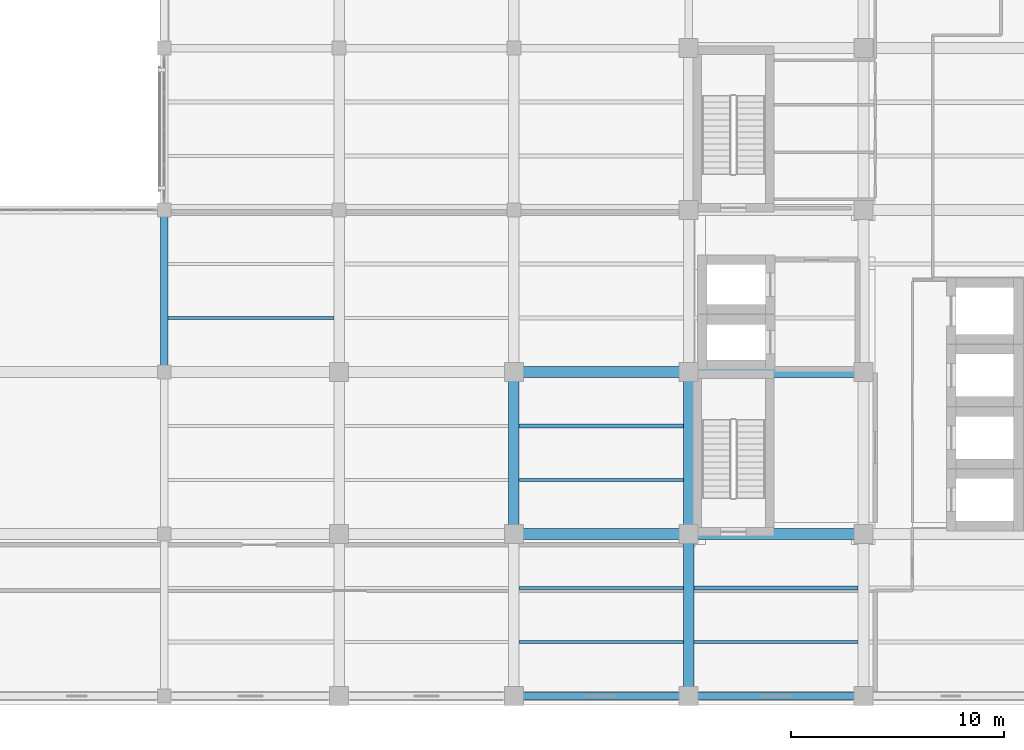
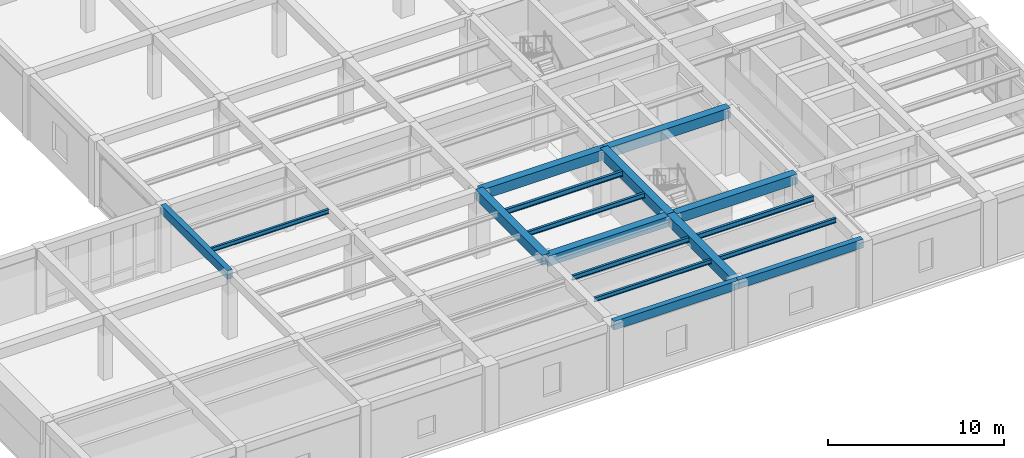
# One storey, part 11 of 49: 17 beams.
"""IFC4 building model written with IfcOpenShell, lengths in metres."""

from ifc_helpers import new_model, si_unit, direction, frame, origin, origin_2d, place, context, subcontext, project, spatial, rectangle, i_section, extrude, material, material_profile, profile_set, type_object, element, save


model = new_model("IFC4")

# Units and contexts
model_context = context("Model", 3, precision=1e-05, world=origin(), true_north=direction((0.0, 1.0)))
body_context = subcontext(model_context, "Body", "Model", "MODEL_VIEW")
ifc_project = project(units=[si_unit("LENGTHUNIT", "METRE"), si_unit("AREAUNIT", "SQUARE_METRE"), si_unit("VOLUMEUNIT", "CUBIC_METRE"), si_unit("PLANEANGLEUNIT", "RADIAN"), si_unit("MASSUNIT", "GRAM", prefix="KILO")], contexts=[model_context])

# Site, building, storey
site_placement = place(None, origin())
site = spatial("IfcSite", under=ifc_project, at=site_placement, CompositionType="ELEMENT")
building_placement = place(site_placement, origin())
building = spatial("IfcBuilding", under=site, at=building_placement, Name="Qandaris Square Conservatory and Botanical Centre", CompositionType="ELEMENT")
storey_placement = place(building_placement, frame((0.0, 0.0, 10.199951171875)))
storey = spatial("IfcBuildingStorey", under=building, at=storey_placement, Name="L02", CompositionType="ELEMENT", Elevation=10.199951171875)

# Beams
ifc_material_1 = material(Name="Steel S355", Category="steel")
ifc_material_profile_1 = material_profile(ifc_material_1, i_section(OverallWidth=0.14990234375, OverallDepth=0.300048828125, WebThickness=0.007080078125, FlangeThickness=0.0107421875, FilletRadius=0.014892578125, at=origin_2d()), Name="IPE 300")
ifc_profile_set_1 = profile_set([ifc_material_profile_1], Name="Steel S355")
beam_type_1 = type_object("IfcBeamType", Name="Composite Lab Joist IPE 300", PredefinedType="JOIST", material=ifc_profile_set_1)
beam_1_placement = place(storey_placement, frame((114.77490234375, 34.333251953125, 4.35009765625), z_axis=(1.0, 0.0, 0.0), x_axis=(0.0, 1.0, 0.0)))
element("IfcBeam", 1, at=beam_1_placement, inside=storey, type_object=beam_type_1, Name="L02 Composite Joist 1465", PredefinedType="JOIST", context=body_context, shape_type="SweptSolid", body=[
    extrude(i_section(OverallWidth=0.14990234375, OverallDepth=0.300048828125, WebThickness=0.007080078125, FlangeThickness=0.0107421875, FilletRadius=0.014892578125, at=origin_2d()), origin(), (0.0, 0.0, 1.0), 7.775146484375),
])
beam_2_placement = place(storey_placement, frame((131.25, 19.13330078125, 4.35009765625), z_axis=(1.0, 0.0, 0.0), x_axis=(0.0, 1.0, 0.0)))
element("IfcBeam", 2, at=beam_2_placement, inside=storey, type_object=beam_type_1, Name="L02 Composite Joist 1477", PredefinedType="JOIST", context=body_context, shape_type="SweptSolid", body=[
    extrude(i_section(OverallWidth=0.14990234375, OverallDepth=0.300048828125, WebThickness=0.007080078125, FlangeThickness=0.0107421875, FilletRadius=0.014892578125, at=origin_2d()), origin(), (0.0, 0.0, 1.0), 7.699951171875),
])
ifc_material_profile_2 = material_profile(ifc_material_1, i_section(OverallWidth=0.159912109375, OverallDepth=0.330078125, WebThickness=0.007568359375, FlangeThickness=0.011474609375, FilletRadius=0.01806640625, at=origin_2d()), Name="IPE 330")
ifc_profile_set_2 = profile_set([ifc_material_profile_2], Name="Steel S355")
beam_type_2 = type_object("IfcBeamType", Name="Composite Lab Joist IPE 330", PredefinedType="JOIST", material=ifc_profile_set_2)
for number, where, z_axis, x_axis, name in (
    (3, (131.25, 21.666748046875, 4.3349609375), (1.0, 0.0, 0.0), (0.0, 1.0, 0.0), "L02 Composite Joist 1478"),
    (4, (131.25, 26.7333984375, 4.3349609375), (1.0, 0.0, 0.0), (0.0, 1.0, 0.0), "L02 Composite Joist 1479"),
    (5, (139.449951171875, 19.13330078125, 4.3349609375), (1.0, 0.0, 0.0), (0.0, 1.0, 0.0), "L02 Composite Joist 1485"),
):
    element("IfcBeam", number, at=place(storey_placement, frame(where, z_axis=z_axis, x_axis=x_axis)), inside=storey, type_object=beam_type_2, Name=name, PredefinedType="JOIST", context=body_context, shape_type="SweptSolid", body=[
        extrude(i_section(OverallWidth=0.159912109375, OverallDepth=0.330078125, WebThickness=0.007568359375, FlangeThickness=0.011474609375, FilletRadius=0.01806640625, at=origin_2d()), origin(), (0.0, 0.0, 1.0), 7.699951171875),
    ])
ifc_material_profile_3 = material_profile(ifc_material_1, i_section(OverallWidth=0.169921875, OverallDepth=0.360107421875, WebThickness=0.008056640625, FlangeThickness=0.0126953125, FilletRadius=0.01806640625, at=origin_2d()), Name="IPE 360")
ifc_profile_set_3 = profile_set([ifc_material_profile_3], Name="Steel S355")
beam_type_3 = type_object("IfcBeamType", Name="Composite Lab Joist IPE 360", PredefinedType="JOIST", material=ifc_profile_set_3)
for number, where, z_axis, x_axis, name in (
    (6, (131.25, 29.2666015625, 4.320068359375), (1.0, 0.0, 0.0), (0.0, 1.0, 0.0), "L02 Composite Joist 1480"),
    (7, (139.449951171875, 21.666748046875, 4.320068359375), (1.0, 0.0, 0.0), (0.0, 1.0, 0.0), "L02 Composite Joist 1486"),
):
    element("IfcBeam", number, at=place(storey_placement, frame(where, z_axis=z_axis, x_axis=x_axis)), inside=storey, type_object=beam_type_3, Name=name, PredefinedType="JOIST", context=body_context, shape_type="SweptSolid", body=[
        extrude(i_section(OverallWidth=0.169921875, OverallDepth=0.360107421875, WebThickness=0.008056640625, FlangeThickness=0.0126953125, FilletRadius=0.01806640625, at=origin_2d()), origin(), (0.0, 0.0, 1.0), 7.699951171875),
    ])
ifc_material_2 = material(Name="Concrete C50/60", Category="concrete")
ifc_material_profile_4 = material_profile(ifc_material_2, rectangle(XDim=0.35009765625, YDim=0.60009765625, at=origin_2d()), Name="RC-SP 350x600")
ifc_profile_set_4 = profile_set([ifc_material_profile_4], Name="Concrete C50/60")
beam_type_4 = type_object("IfcBeamType", Name="RC Edge Spandrel Beam 350x600", PredefinedType="SPANDREL", material=ifc_profile_set_4)
for number, where, z_axis, x_axis, name in (
    (8, (131.0, 16.60009765625, 4.2451171875), (1.0, 0.0, 0.0), (0.0, 1.0, 0.0), "L02 Frame Beam 1298"),
    (9, (139.199951171875, 16.60009765625, 4.2451171875), (1.0, 0.0, 0.0), (0.0, 1.0, 0.0), "L02 Frame Beam 1299"),
):
    element("IfcBeam", number, at=place(storey_placement, frame(where, z_axis=z_axis, x_axis=x_axis)), inside=storey, type_object=beam_type_4, Name=name, PredefinedType="SPANDREL", context=body_context, shape_type="SweptSolid", body=[
        extrude(rectangle(XDim=0.35009765625, YDim=0.60009765625, at=origin_2d()), origin(), (0.0, 0.0, 1.0), 8.199951171875),
    ])
beam_3_placement = place(storey_placement, frame((114.60009765625, 31.800048828125, 4.2451171875), z_axis=(0.0, 1.0, 0.0), x_axis=(-1.0, 0.0, 0.0)))
element("IfcBeam", 10, at=beam_3_placement, inside=storey, type_object=beam_type_4, Name="L02 Frame Beam 1386", PredefinedType="SPANDREL", context=body_context, shape_type="SweptSolid", body=[
    extrude(rectangle(XDim=0.35009765625, YDim=0.60009765625, at=origin_2d()), origin(), (0.0, 0.0, 1.0), 7.599853515625),
])
ifc_material_profile_5 = material_profile(ifc_material_2, rectangle(XDim=0.5, YDim=0.699951171875, at=origin_2d()), Name="RC-BM 500x700")
ifc_profile_set_5 = profile_set([ifc_material_profile_5], Name="Concrete C50/60")
beam_type_5 = type_object("IfcBeamType", Name="RC Floor Girder 500x700", PredefinedType="BEAM", material=ifc_profile_set_5)
for number, where, z_axis, x_axis, name in (
    (11, (131.0, 24.199951171875, 4.16015625), (1.0, 0.0, 0.0), (0.0, 1.0, 0.0), "L02 Frame Beam 1306"),
    (12, (139.199951171875, 24.199951171875, 4.16015625), (1.0, 0.0, 0.0), (0.0, 1.0, 0.0), "L02 Frame Beam 1307"),
    (13, (131.0, 31.800048828125, 4.16015625), (1.0, 0.0, 0.0), (0.0, 1.0, 0.0), "L02 Frame Beam 1314"),
    (14, (139.199951171875, 31.800048828125, 4.16015625), (1.0, 0.0, 0.0), (0.0, 1.0, 0.0), "L02 Frame Beam 1315"),
):
    element("IfcBeam", number, at=place(storey_placement, frame(where, z_axis=z_axis, x_axis=x_axis)), inside=storey, type_object=beam_type_5, Name=name, PredefinedType="BEAM", context=body_context, shape_type="SweptSolid", body=[
        extrude(rectangle(XDim=0.5, YDim=0.699951171875, at=origin_2d()), origin(), (0.0, 0.0, 1.0), 8.199951171875),
    ])
beam_4_placement = place(storey_placement, frame((131.0, 24.199951171875, 4.16015625), z_axis=(0.0, 1.0, 0.0), x_axis=(-1.0, 0.0, 0.0)))
element("IfcBeam", 15, at=beam_4_placement, inside=storey, type_object=beam_type_5, Name="L02 Frame Beam 1407", PredefinedType="BEAM", context=body_context, shape_type="SweptSolid", body=[
    extrude(rectangle(XDim=0.5, YDim=0.699951171875, at=origin_2d()), origin(), (0.0, 0.0, 1.0), 7.60009765625),
])
beam_5_placement = place(storey_placement, frame((139.199951171875, 16.60009765625, 4.16015625), z_axis=(0.0, 1.0, 0.0), x_axis=(-1.0, 0.0, 0.0)))
element("IfcBeam", 16, at=beam_5_placement, inside=storey, type_object=beam_type_5, Name="L02 Frame Beam 1417", PredefinedType="BEAM", context=body_context, shape_type="SweptSolid", body=[
    extrude(rectangle(XDim=0.5, YDim=0.699951171875, at=origin_2d()), origin(), (0.0, 0.0, 1.0), 7.599853515625),
])
beam_6_placement = place(storey_placement, frame((139.199951171875, 24.199951171875, 4.16015625), z_axis=(0.0, 1.0, 0.0), x_axis=(-1.0, 0.0, 0.0)))
element("IfcBeam", 17, at=beam_6_placement, inside=storey, type_object=beam_type_5, Name="L02 Frame Beam 1418", PredefinedType="BEAM", context=body_context, shape_type="SweptSolid", body=[
    extrude(rectangle(XDim=0.5, YDim=0.699951171875, at=origin_2d()), origin(), (0.0, 0.0, 1.0), 7.60009765625),
])

save(model, "model.ifc")
